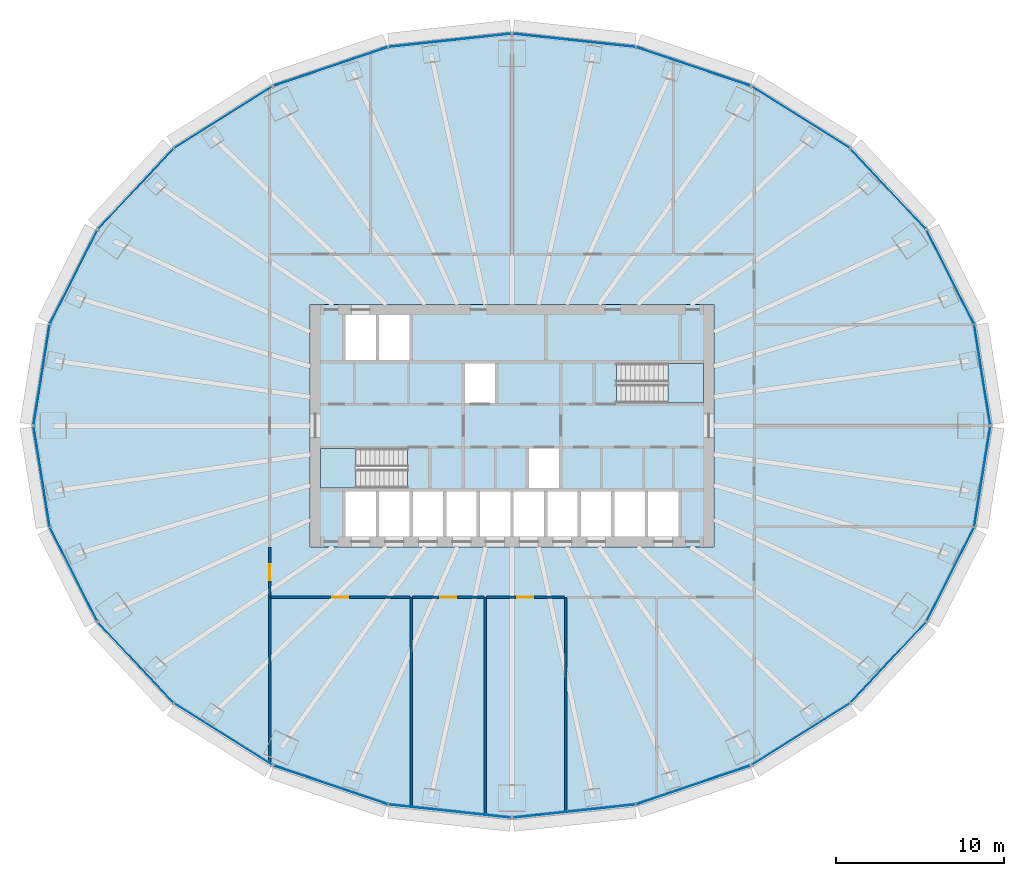
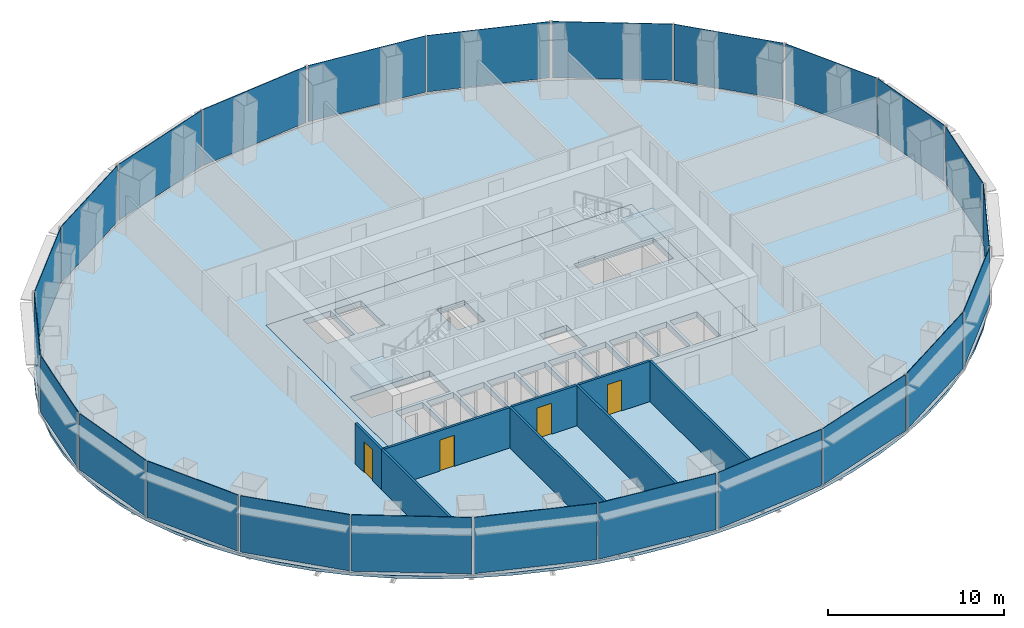
# One storey, part 6 of 13: 24 plates, 8 walls, 4 doors, 4 slabs, 4 openings, 14 elements without a shape of their own.
"""IFC4 building model written with IfcOpenShell, lengths in metres."""

from ifc_helpers import new_model, si_unit, direction, frame, frame_2d, origin, origin_2d, place, context, subcontext, project, spatial, polyline, rectangle, outline, extrude, material, layer, layer_set, type_object, element, fill, aggregate, save


model = new_model("IFC4")

# Units and contexts
model_context = context("Model", 3, precision=1e-05, world=origin(), true_north=direction((0.0, 1.0)))
body_context = subcontext(model_context, "Body", "Model", "MODEL_VIEW")
ifc_project = project(units=[si_unit("LENGTHUNIT", "METRE"), si_unit("AREAUNIT", "SQUARE_METRE"), si_unit("VOLUMEUNIT", "CUBIC_METRE"), si_unit("PLANEANGLEUNIT", "RADIAN"), si_unit("MASSUNIT", "GRAM", prefix="KILO")], contexts=[model_context])

# Site, building, storey
site_placement = place(None, origin())
site = spatial("IfcSite", under=ifc_project, at=site_placement, CompositionType="ELEMENT")
building_placement = place(site_placement, origin())
building = spatial("IfcBuilding", under=site, at=building_placement, Name="Siaravel Broadcast Tower", CompositionType="ELEMENT")
storey_placement = place(building_placement, frame((0.0, 0.0, 32.89990234375)))
storey = spatial("IfcBuildingStorey", under=building, at=storey_placement, Name="L06", CompositionType="ELEMENT", Elevation=32.89990234375)

# Curtain wall, plates
ifc_material_1 = material(Name="Aluminium 6063-T6", Category="aluminium")
ifc_layer_1 = layer(ifc_material_1, 0.25)
ifc_layer_set_1 = layer_set([ifc_layer_1], Name="Aluminium 6063-T6")
curtain_wall_type = type_object("IfcCurtainWallType", Name="Podium newsroom glazing", PredefinedType="NOTDEFINED", material=ifc_layer_set_1)
curtain_wall_1_placement = place(storey_placement, origin())
curtain_wall_1 = element("IfcCurtainWall", 1, at=curtain_wall_1_placement, inside=storey, type_object=curtain_wall_type, Name="L06 Podium newsroom glazing 01", PredefinedType="NOTDEFINED")
ifc_material_2 = material(Name="Clear laminated glass", Category="glass")
ifc_layer_2 = layer(ifc_material_2, 0.035888671875)
ifc_layer_set_2 = layer_set([ifc_layer_2], Name="Clear laminated glass")
plate_type = type_object("IfcPlateType", Name="CW-PD glass panel", PredefinedType="CURTAIN_PANEL", material=ifc_layer_set_2)
plate_1_placement = place(storey_placement, frame((27.96533203125, 3.038330078125, 0.14013671875), z_axis=(0.0, 0.0, 1.0), x_axis=(-0.158686178, 0.987329072, 0.0)))
plate_1 = element("IfcPlate", 2, at=plate_1_placement, type_object=plate_type, Name="CW-PD glass panel", PredefinedType="CURTAIN_PANEL", context=body_context, shape_type="SweptSolid", body=[
    extrude(rectangle(XDim=5.99462890625, YDim=0.035888671875, at=origin_2d()), origin(), (0.0, 0.0, 1.0), 3.909912109375),
])
plate_2_placement = place(storey_placement, frame((26.0703125, 8.83154296875, 0.14013671875), z_axis=(0.0, 0.0, 1.0), x_axis=(-0.451262258, 0.89239138, 0.0)))
plate_2 = element("IfcPlate", 3, at=plate_2_placement, type_object=plate_type, Name="CW-PD glass panel", PredefinedType="CURTAIN_PANEL", context=body_context, shape_type="SweptSolid", body=[
    extrude(rectangle(XDim=6.1826171875, YDim=0.035888671875, at=origin_2d()), origin(), (0.0, 0.0, 1.0), 3.909912109375),
])
aggregate(curtain_wall_1, [plate_1, plate_2])

curtain_wall_2_placement = place(storey_placement, origin())
curtain_wall_2 = element("IfcCurtainWall", 4, at=curtain_wall_2_placement, inside=storey, type_object=curtain_wall_type, Name="L06 Podium newsroom glazing 02", PredefinedType="NOTDEFINED")
plate_3_placement = place(storey_placement, frame((22.364013671875, 14.09033203125, 0.14013671875), z_axis=(0.0, 0.0, 1.0), x_axis=(-0.68365628, 0.729804146, 0.0)))
plate_3 = element("IfcPlate", 5, at=plate_3_placement, type_object=plate_type, Name="CW-PD glass panel", PredefinedType="CURTAIN_PANEL", context=body_context, shape_type="SweptSolid", body=[
    extrude(rectangle(XDim=6.49609375, YDim=0.035888671875, at=origin_2d()), origin(), (0.0, 0.0, 1.0), 3.909912109375),
])
plate_4_placement = place(storey_placement, frame((17.1865234375, 18.331298828125, 0.14013671875), z_axis=(0.0, 0.0, 1.0), x_axis=(-0.84665121, 0.532148221, 0.0)))
plate_4 = element("IfcPlate", 6, at=plate_4_placement, type_object=plate_type, Name="CW-PD glass panel", PredefinedType="CURTAIN_PANEL", context=body_context, shape_type="SweptSolid", body=[
    extrude(rectangle(XDim=6.840087890625, YDim=0.035888671875, at=origin_2d()), origin(), (0.0, 0.0, 1.0), 3.909912109375),
])
aggregate(curtain_wall_2, [plate_3, plate_4])

curtain_wall_3_placement = place(storey_placement, origin())
curtain_wall_3 = element("IfcCurtainWall", 7, at=curtain_wall_3_placement, inside=storey, type_object=curtain_wall_type, Name="L06 Podium newsroom glazing 03", PredefinedType="NOTDEFINED")
plate_5_placement = place(storey_placement, frame((10.773681640625, 21.3642578125, 0.14013671875), z_axis=(0.0, 0.0, 1.0), x_axis=(-0.946977469, 0.321299974, 0.0)))
plate_5 = element("IfcPlate", 8, at=plate_5_placement, type_object=plate_type, Name="CW-PD glass panel", PredefinedType="CURTAIN_PANEL", context=body_context, shape_type="SweptSolid", body=[
    extrude(rectangle(XDim=7.125244140625, YDim=0.035888671875, at=origin_2d()), origin(), (0.0, 0.0, 1.0), 3.909912109375),
])
plate_6_placement = place(storey_placement, frame((3.700927734375, 22.91650390625, 0.14013671875), z_axis=(0.0, 0.0, 1.0), x_axis=(-0.994235615, 0.107217269, 0.0)))
plate_6 = element("IfcPlate", 9, at=plate_6_placement, type_object=plate_type, Name="CW-PD glass panel", PredefinedType="CURTAIN_PANEL", context=body_context, shape_type="SweptSolid", body=[
    extrude(rectangle(XDim=7.284912109375, YDim=0.035888671875, at=origin_2d()), origin(), (0.0, 0.0, 1.0), 3.909912109375),
])
aggregate(curtain_wall_3, [plate_5, plate_6])

curtain_wall_4_placement = place(storey_placement, origin())
curtain_wall_4 = element("IfcCurtainWall", 10, at=curtain_wall_4_placement, inside=storey, type_object=curtain_wall_type, Name="L06 Podium newsroom glazing 04", PredefinedType="NOTDEFINED")
plate_7_placement = place(storey_placement, frame((-3.700927734375, 22.91650390625, 0.14013671875), z_axis=(0.0, 0.0, 1.0), x_axis=(-0.994235615, -0.107217269, 0.0)))
plate_7 = element("IfcPlate", 11, at=plate_7_placement, type_object=plate_type, Name="CW-PD glass panel", PredefinedType="CURTAIN_PANEL", context=body_context, shape_type="SweptSolid", body=[
    extrude(rectangle(XDim=7.284912109375, YDim=0.035888671875, at=origin_2d()), origin(), (0.0, 0.0, 1.0), 3.909912109375),
])
plate_8_placement = place(storey_placement, frame((-10.773681640625, 21.3642578125, 0.14013671875), z_axis=(0.0, 0.0, 1.0), x_axis=(-0.946977469, -0.321299974, 0.0)))
plate_8 = element("IfcPlate", 12, at=plate_8_placement, type_object=plate_type, Name="CW-PD glass panel", PredefinedType="CURTAIN_PANEL", context=body_context, shape_type="SweptSolid", body=[
    extrude(rectangle(XDim=7.125244140625, YDim=0.035888671875, at=origin_2d()), origin(), (0.0, 0.0, 1.0), 3.909912109375),
])
aggregate(curtain_wall_4, [plate_7, plate_8])

curtain_wall_5_placement = place(storey_placement, origin())
curtain_wall_5 = element("IfcCurtainWall", 13, at=curtain_wall_5_placement, inside=storey, type_object=curtain_wall_type, Name="L06 Podium newsroom glazing 05", PredefinedType="NOTDEFINED")
plate_9_placement = place(storey_placement, frame((-17.1865234375, 18.331298828125, 0.14013671875), z_axis=(0.0, 0.0, 1.0), x_axis=(-0.84665121, -0.532148221, 0.0)))
plate_9 = element("IfcPlate", 14, at=plate_9_placement, type_object=plate_type, Name="CW-PD glass panel", PredefinedType="CURTAIN_PANEL", context=body_context, shape_type="SweptSolid", body=[
    extrude(rectangle(XDim=6.840087890625, YDim=0.035888671875, at=origin_2d()), origin(), (0.0, 0.0, 1.0), 3.909912109375),
])
plate_10_placement = place(storey_placement, frame((-22.364013671875, 14.09033203125, 0.14013671875), z_axis=(0.0, 0.0, 1.0), x_axis=(-0.68365628, -0.729804146, 0.0)))
plate_10 = element("IfcPlate", 15, at=plate_10_placement, type_object=plate_type, Name="CW-PD glass panel", PredefinedType="CURTAIN_PANEL", context=body_context, shape_type="SweptSolid", body=[
    extrude(rectangle(XDim=6.49609375, YDim=0.035888671875, at=origin_2d()), origin(), (0.0, 0.0, 1.0), 3.909912109375),
])
aggregate(curtain_wall_5, [plate_9, plate_10])

curtain_wall_6_placement = place(storey_placement, origin())
curtain_wall_6 = element("IfcCurtainWall", 16, at=curtain_wall_6_placement, inside=storey, type_object=curtain_wall_type, Name="L06 Podium newsroom glazing 06", PredefinedType="NOTDEFINED")
plate_11_placement = place(storey_placement, frame((-26.0703125, 8.83154296875, 0.14013671875), z_axis=(0.0, 0.0, 1.0), x_axis=(-0.451262258, -0.89239138, 0.0)))
plate_11 = element("IfcPlate", 17, at=plate_11_placement, type_object=plate_type, Name="CW-PD glass panel", PredefinedType="CURTAIN_PANEL", context=body_context, shape_type="SweptSolid", body=[
    extrude(rectangle(XDim=6.1826171875, YDim=0.035888671875, at=origin_2d()), origin(), (0.0, 0.0, 1.0), 3.909912109375),
])
plate_12_placement = place(storey_placement, frame((-27.96533203125, 3.038330078125, 0.14013671875), z_axis=(0.0, 0.0, 1.0), x_axis=(-0.158686178, -0.987329072, 0.0)))
plate_12 = element("IfcPlate", 18, at=plate_12_placement, type_object=plate_type, Name="CW-PD glass panel", PredefinedType="CURTAIN_PANEL", context=body_context, shape_type="SweptSolid", body=[
    extrude(rectangle(XDim=5.99462890625, YDim=0.035888671875, at=origin_2d()), origin(), (0.0, 0.0, 1.0), 3.909912109375),
])
aggregate(curtain_wall_6, [plate_11, plate_12])

curtain_wall_7_placement = place(storey_placement, origin())
curtain_wall_7 = element("IfcCurtainWall", 19, at=curtain_wall_7_placement, inside=storey, type_object=curtain_wall_type, Name="L06 Podium newsroom glazing 07", PredefinedType="NOTDEFINED")
plate_13_placement = place(storey_placement, frame((-27.96533203125, -3.038330078125, 0.14013671875), z_axis=(0.0, 0.0, 1.0), x_axis=(0.158686178, -0.987329072, 0.0)))
plate_13 = element("IfcPlate", 20, at=plate_13_placement, type_object=plate_type, Name="CW-PD glass panel", PredefinedType="CURTAIN_PANEL", context=body_context, shape_type="SweptSolid", body=[
    extrude(rectangle(XDim=5.99462890625, YDim=0.035888671875, at=origin_2d()), origin(), (0.0, 0.0, 1.0), 3.909912109375),
])
plate_14_placement = place(storey_placement, frame((-26.0703125, -8.83154296875, 0.14013671875), z_axis=(0.0, 0.0, 1.0), x_axis=(0.451262258, -0.89239138, 0.0)))
plate_14 = element("IfcPlate", 21, at=plate_14_placement, type_object=plate_type, Name="CW-PD glass panel", PredefinedType="CURTAIN_PANEL", context=body_context, shape_type="SweptSolid", body=[
    extrude(rectangle(XDim=6.1826171875, YDim=0.035888671875, at=origin_2d()), origin(), (0.0, 0.0, 1.0), 3.909912109375),
])
aggregate(curtain_wall_7, [plate_13, plate_14])

curtain_wall_8_placement = place(storey_placement, origin())
curtain_wall_8 = element("IfcCurtainWall", 22, at=curtain_wall_8_placement, inside=storey, type_object=curtain_wall_type, Name="L06 Podium newsroom glazing 08", PredefinedType="NOTDEFINED")
plate_15_placement = place(storey_placement, frame((-22.364013671875, -14.09033203125, 0.14013671875), z_axis=(0.0, 0.0, 1.0), x_axis=(0.68365628, -0.729804146, 0.0)))
plate_15 = element("IfcPlate", 23, at=plate_15_placement, type_object=plate_type, Name="CW-PD glass panel", PredefinedType="CURTAIN_PANEL", context=body_context, shape_type="SweptSolid", body=[
    extrude(rectangle(XDim=6.49609375, YDim=0.035888671875, at=origin_2d()), origin(), (0.0, 0.0, 1.0), 3.909912109375),
])
plate_16_placement = place(storey_placement, frame((-17.1865234375, -18.331298828125, 0.14013671875), z_axis=(0.0, 0.0, 1.0), x_axis=(0.84665121, -0.532148221, 0.0)))
plate_16 = element("IfcPlate", 24, at=plate_16_placement, type_object=plate_type, Name="CW-PD glass panel", PredefinedType="CURTAIN_PANEL", context=body_context, shape_type="SweptSolid", body=[
    extrude(rectangle(XDim=6.840087890625, YDim=0.035888671875, at=origin_2d()), origin(), (0.0, 0.0, 1.0), 3.909912109375),
])
aggregate(curtain_wall_8, [plate_15, plate_16])

curtain_wall_9_placement = place(storey_placement, origin())
curtain_wall_9 = element("IfcCurtainWall", 25, at=curtain_wall_9_placement, inside=storey, type_object=curtain_wall_type, Name="L06 Podium newsroom glazing 09", PredefinedType="NOTDEFINED")
plate_17_placement = place(storey_placement, frame((-10.773681640625, -21.3642578125, 0.14013671875), z_axis=(0.0, 0.0, 1.0), x_axis=(0.946977469, -0.321299974, 0.0)))
plate_17 = element("IfcPlate", 26, at=plate_17_placement, type_object=plate_type, Name="CW-PD glass panel", PredefinedType="CURTAIN_PANEL", context=body_context, shape_type="SweptSolid", body=[
    extrude(rectangle(XDim=7.125244140625, YDim=0.035888671875, at=origin_2d()), origin(), (0.0, 0.0, 1.0), 3.909912109375),
])
plate_18_placement = place(storey_placement, frame((-3.700927734375, -22.91650390625, 0.14013671875), z_axis=(0.0, 0.0, 1.0), x_axis=(0.994235615, -0.107217269, 0.0)))
plate_18 = element("IfcPlate", 27, at=plate_18_placement, type_object=plate_type, Name="CW-PD glass panel", PredefinedType="CURTAIN_PANEL", context=body_context, shape_type="SweptSolid", body=[
    extrude(rectangle(XDim=7.284912109375, YDim=0.035888671875, at=origin_2d()), origin(), (0.0, 0.0, 1.0), 3.909912109375),
])
aggregate(curtain_wall_9, [plate_17, plate_18])

curtain_wall_10_placement = place(storey_placement, origin())
curtain_wall_10 = element("IfcCurtainWall", 28, at=curtain_wall_10_placement, inside=storey, type_object=curtain_wall_type, Name="L06 Podium newsroom glazing 10", PredefinedType="NOTDEFINED")
plate_19_placement = place(storey_placement, frame((3.700927734375, -22.91650390625, 0.14013671875), z_axis=(0.0, 0.0, 1.0), x_axis=(0.994235615, 0.107217269, 0.0)))
plate_19 = element("IfcPlate", 29, at=plate_19_placement, type_object=plate_type, Name="CW-PD glass panel", PredefinedType="CURTAIN_PANEL", context=body_context, shape_type="SweptSolid", body=[
    extrude(rectangle(XDim=7.284912109375, YDim=0.035888671875, at=origin_2d()), origin(), (0.0, 0.0, 1.0), 3.909912109375),
])
plate_20_placement = place(storey_placement, frame((10.773681640625, -21.3642578125, 0.14013671875), z_axis=(0.0, 0.0, 1.0), x_axis=(0.946977469, 0.321299974, 0.0)))
plate_20 = element("IfcPlate", 30, at=plate_20_placement, type_object=plate_type, Name="CW-PD glass panel", PredefinedType="CURTAIN_PANEL", context=body_context, shape_type="SweptSolid", body=[
    extrude(rectangle(XDim=7.125244140625, YDim=0.035888671875, at=origin_2d()), origin(), (0.0, 0.0, 1.0), 3.909912109375),
])
aggregate(curtain_wall_10, [plate_19, plate_20])

curtain_wall_11_placement = place(storey_placement, origin())
curtain_wall_11 = element("IfcCurtainWall", 31, at=curtain_wall_11_placement, inside=storey, type_object=curtain_wall_type, Name="L06 Podium newsroom glazing 11", PredefinedType="NOTDEFINED")
plate_21_placement = place(storey_placement, frame((17.1865234375, -18.331298828125, 0.14013671875), z_axis=(0.0, 0.0, 1.0), x_axis=(0.84665121, 0.532148221, 0.0)))
plate_21 = element("IfcPlate", 32, at=plate_21_placement, type_object=plate_type, Name="CW-PD glass panel", PredefinedType="CURTAIN_PANEL", context=body_context, shape_type="SweptSolid", body=[
    extrude(rectangle(XDim=6.840087890625, YDim=0.035888671875, at=origin_2d()), origin(), (0.0, 0.0, 1.0), 3.909912109375),
])
plate_22_placement = place(storey_placement, frame((22.364013671875, -14.09033203125, 0.14013671875), z_axis=(0.0, 0.0, 1.0), x_axis=(0.68365628, 0.729804146, 0.0)))
plate_22 = element("IfcPlate", 33, at=plate_22_placement, type_object=plate_type, Name="CW-PD glass panel", PredefinedType="CURTAIN_PANEL", context=body_context, shape_type="SweptSolid", body=[
    extrude(rectangle(XDim=6.49609375, YDim=0.035888671875, at=origin_2d()), origin(), (0.0, 0.0, 1.0), 3.909912109375),
])
aggregate(curtain_wall_11, [plate_21, plate_22])

curtain_wall_12_placement = place(storey_placement, origin())
curtain_wall_12 = element("IfcCurtainWall", 34, at=curtain_wall_12_placement, inside=storey, type_object=curtain_wall_type, Name="L06 Podium newsroom glazing 12", PredefinedType="NOTDEFINED")
plate_23_placement = place(storey_placement, frame((26.0703125, -8.83154296875, 0.14013671875), z_axis=(0.0, 0.0, 1.0), x_axis=(0.451262258, 0.89239138, 0.0)))
plate_23 = element("IfcPlate", 35, at=plate_23_placement, type_object=plate_type, Name="CW-PD glass panel", PredefinedType="CURTAIN_PANEL", context=body_context, shape_type="SweptSolid", body=[
    extrude(rectangle(XDim=6.1826171875, YDim=0.035888671875, at=origin_2d()), origin(), (0.0, 0.0, 1.0), 3.909912109375),
])
plate_24_placement = place(storey_placement, frame((27.96533203125, -3.038330078125, 0.14013671875), z_axis=(0.0, 0.0, 1.0), x_axis=(0.158686178, 0.987329072, 0.0)))
plate_24 = element("IfcPlate", 36, at=plate_24_placement, type_object=plate_type, Name="CW-PD glass panel", PredefinedType="CURTAIN_PANEL", context=body_context, shape_type="SweptSolid", body=[
    extrude(rectangle(XDim=5.99462890625, YDim=0.035888671875, at=origin_2d()), origin(), (0.0, 0.0, 1.0), 3.909912109375),
])
aggregate(curtain_wall_12, [plate_23, plate_24])

# Slabs
ifc_material_3 = material(Name="Concrete C40/50", Category="concrete")
ifc_layer_3 = layer(ifc_material_3, 0.39990234375)
ifc_layer_set_3 = layer_set([ifc_layer_3], Name="Concrete C40/50")
slab_type_1 = type_object("IfcSlabType", Name="Core floor slab 400", PredefinedType="FLOOR", material=ifc_layer_set_3)
slab_1_placement = place(storey_placement, frame((0.0, 0.0, -0.39990234375)))
element("IfcSlab", 37, at=slab_1_placement, inside=storey, type_object=slab_type_1, Name="L06 core floor", PredefinedType="FLOOR", context=body_context, shape_type="SweptSolid", body=[
    extrude(outline(polyline([(-12.0, -7.199951171875), (-12.0, 7.199951171875), (12.0, 7.199951171875), (12.0, -7.199951171875), (-12.0, -7.199951171875)]), holes=[polyline([(11.3994140625, 1.3505859375), (11.3994140625, 3.699462890625), (6.200439453125, 3.699462890625), (6.200439453125, 1.3505859375), (11.3994140625, 1.3505859375)]), polyline([(9.89990234375, -3.89990234375), (8.10009765625, -3.89990234375), (8.10009765625, -6.60009765625), (9.89990234375, -6.60009765625), (9.89990234375, -3.89990234375)]), polyline([(7.89990234375, -3.89990234375), (6.10009765625, -3.89990234375), (6.10009765625, -6.60009765625), (7.89990234375, -6.60009765625), (7.89990234375, -3.89990234375)]), polyline([(5.89990234375, -3.89990234375), (4.10009765625, -3.89990234375), (4.10009765625, -6.60009765625), (5.89990234375, -6.60009765625), (5.89990234375, -3.89990234375)]), polyline([(3.89990234375, -3.89990234375), (2.10009765625, -3.89990234375), (2.10009765625, -6.60009765625), (3.89990234375, -6.60009765625), (3.89990234375, -3.89990234375)]), polyline([(2.800048828125, -1.35009765625), (1.0, -1.35009765625), (1.0, -3.699951171875), (2.800048828125, -3.699951171875), (2.800048828125, -1.35009765625)]), polyline([(1.89990234375, -3.89990234375), (0.10009765625, -3.89990234375), (0.10009765625, -6.60009765625), (1.89990234375, -6.60009765625), (1.89990234375, -3.89990234375)]), polyline([(-0.10009765625, -3.89990234375), (-1.89990234375, -3.89990234375), (-1.89990234375, -6.60009765625), (-0.10009765625, -6.60009765625), (-0.10009765625, -3.89990234375)]), polyline([(-1.0, 3.699951171875), (-2.800048828125, 3.699951171875), (-2.800048828125, 1.35009765625), (-1.0, 1.35009765625), (-1.0, 3.699951171875)]), polyline([(-2.10009765625, -3.89990234375), (-3.89990234375, -3.89990234375), (-3.89990234375, -6.60009765625), (-2.10009765625, -6.60009765625), (-2.10009765625, -3.89990234375)]), polyline([(-4.10009765625, -3.89990234375), (-5.89990234375, -3.89990234375), (-5.89990234375, -6.60009765625), (-4.10009765625, -6.60009765625), (-4.10009765625, -3.89990234375)]), polyline([(-6.10009765625, -3.89990234375), (-7.89990234375, -3.89990234375), (-7.89990234375, -6.60009765625), (-6.10009765625, -6.60009765625), (-6.10009765625, -3.89990234375)]), polyline([(-6.10009765625, 6.60009765625), (-7.89990234375, 6.60009765625), (-7.89990234375, 3.89990234375), (-6.10009765625, 3.89990234375), (-6.10009765625, 6.60009765625)]), polyline([(-11.3994140625, -1.3505859375), (-11.3994140625, -3.699462890625), (-6.200439453125, -3.699462890625), (-6.200439453125, -1.3505859375), (-11.3994140625, -1.3505859375)]), polyline([(-8.10009765625, -3.89990234375), (-9.89990234375, -3.89990234375), (-9.89990234375, -6.60009765625), (-8.10009765625, -6.60009765625), (-8.10009765625, -3.89990234375)]), polyline([(-8.10009765625, 6.60009765625), (-9.89990234375, 6.60009765625), (-9.89990234375, 3.89990234375), (-8.10009765625, 3.89990234375), (-8.10009765625, 6.60009765625)])]), origin(), (0.0, 0.0, 1.0), 0.39990234375),
])
ifc_layer_4 = layer(ifc_material_3, 0.199951171875)
ifc_layer_set_4 = layer_set([ifc_layer_4], Name="Concrete C40/50")
slab_type_2 = type_object("IfcSlabType", Name="SLB-FLOOR-200", PredefinedType="FLOOR", material=ifc_layer_set_4)
slab_2_placement = place(storey_placement, frame((0.0, 0.0, -0.199951171875)))
element("IfcSlab", 38, at=slab_2_placement, inside=storey, type_object=slab_type_2, Name="Floor slab", PredefinedType="FLOOR", context=body_context, shape_type="SweptSolid", body=[
    extrude(outline(polyline([(28.403564453125, 0.0), (28.29541015625, 2.027587890625), (27.97216796875, 4.0400390625), (27.435791015625, 6.021484375), (26.690673828125, 7.957275390625), (25.742431640625, 9.83251953125), (24.59814453125, 11.6328125), (23.266845703125, 13.3447265625), (21.75830078125, 14.954833984375), (20.08447265625, 16.451416015625), (18.257568359375, 17.822509765625), (16.29150390625, 19.05810546875), (14.201904296875, 20.148681640625), (12.00390625, 21.0859375), (9.714599609375, 21.862548828125), (7.351318359375, 22.472900390625), (4.93212890625, 22.912109375), (2.4755859375, 23.17724609375), (0.0, 23.265625), (-2.4755859375, 23.17724609375), (-4.93212890625, 22.912109375), (-7.351318359375, 22.472900390625), (-9.714599609375, 21.862548828125), (-12.00390625, 21.0859375), (-14.201904296875, 20.148681640625), (-16.29150390625, 19.05810546875), (-18.257568359375, 17.822509765625), (-20.08447265625, 16.451416015625), (-21.75830078125, 14.954833984375), (-23.266845703125, 13.3447265625), (-24.59814453125, 11.6328125), (-25.742431640625, 9.83251953125), (-26.690673828125, 7.957275390625), (-27.435791015625, 6.021484375), (-27.97216796875, 4.0400390625), (-28.29541015625, 2.027587890625), (-28.403564453125, 0.0), (-28.29541015625, -2.027587890625), (-27.97216796875, -4.0400390625), (-27.435791015625, -6.021484375), (-26.690673828125, -7.957275390625), (-25.742431640625, -9.83251953125), (-24.59814453125, -11.6328125), (-23.266845703125, -13.3447265625), (-21.75830078125, -14.954833984375), (-20.08447265625, -16.451416015625), (-18.257568359375, -17.822509765625), (-16.29150390625, -19.05810546875), (-14.201904296875, -20.148681640625), (-12.00390625, -21.0859375), (-9.714599609375, -21.862548828125), (-7.351318359375, -22.472900390625), (-4.93212890625, -22.912109375), (-2.4755859375, -23.17724609375), (0.0, -23.265625), (2.4755859375, -23.17724609375), (4.93212890625, -22.912109375), (7.351318359375, -22.472900390625), (9.714599609375, -21.862548828125), (12.00390625, -21.0859375), (14.201904296875, -20.148681640625), (16.29150390625, -19.05810546875), (18.257568359375, -17.822509765625), (20.08447265625, -16.451416015625), (21.75830078125, -14.954833984375), (23.266845703125, -13.3447265625), (24.59814453125, -11.6328125), (25.742431640625, -9.83251953125), (26.690673828125, -7.957275390625), (27.435791015625, -6.021484375), (27.97216796875, -4.0400390625), (28.29541015625, -2.027587890625), (28.403564453125, 0.0)]), holes=[polyline([(-12.0, 7.199951171875), (12.0, 7.199951171875), (12.0, -7.199951171875), (-12.0, -7.199951171875), (-12.0, 7.199951171875)])]), origin(), (0.0, 0.0, 1.0), 0.199951171875),
])

# Stair, slab
stair_type = type_object("IfcStairType", Name="Core exit stair", PredefinedType="HALF_TURN_STAIR", material=ifc_material_3)
stair_1_placement = place(storey_placement, origin())
stair_1 = element("IfcStair", 39, at=stair_1_placement, inside=storey, type_object=stair_type, Name="L06 Exit stair ST-1", PredefinedType="HALF_TURN_STAIR")
ifc_layer_5 = layer(ifc_material_3, 0.199951171875)
ifc_layer_set_5 = layer_set([ifc_layer_5], Name="Concrete C40/50")
slab_type_3 = type_object("IfcSlabType", Name="Stair landing", PredefinedType="LANDING", material=ifc_layer_set_5)
slab_3_placement = place(storey_placement, frame((0.0, 0.0, 1.900146484375)))
slab_3 = element("IfcSlab", 40, at=slab_3_placement, type_object=slab_type_3, Name="ST-1 landing 1", PredefinedType="LANDING", context=body_context, shape_type="SweptSolid", body=[
    extrude(outline(polyline([(-9.280029296875, -1.35009765625), (-11.39990234375, -1.35009765625), (-11.39990234375, -3.699951171875), (-9.280029296875, -3.699951171875), (-9.280029296875, -1.35009765625)])), origin(), (0.0, 0.0, 1.0), 0.199951171875),
])
aggregate(stair_1, [slab_3])

stair_2_placement = place(storey_placement, origin())
stair_2 = element("IfcStair", 41, at=stair_2_placement, inside=storey, type_object=stair_type, Name="L06 Exit stair ST-2", PredefinedType="HALF_TURN_STAIR")
slab_4_placement = place(storey_placement, frame((0.0, 0.0, 1.900146484375)))
slab_4 = element("IfcSlab", 42, at=slab_4_placement, type_object=slab_type_3, Name="ST-2 landing 1", PredefinedType="LANDING", context=body_context, shape_type="SweptSolid", body=[
    extrude(outline(polyline([(9.280029296875, 1.35009765625), (11.39990234375, 1.35009765625), (11.39990234375, 3.699951171875), (9.280029296875, 3.699951171875), (9.280029296875, 1.35009765625)])), origin(), (0.0, 0.0, 1.0), 0.199951171875),
])
aggregate(stair_2, [slab_4])

# Wall, opening, door
ifc_material_4 = material(Name="Gypsum board partition", Category="gypsum")
ifc_layer_6 = layer(ifc_material_4, 0.14990234375)
ifc_layer_set_6 = layer_set([ifc_layer_6], Name="Gypsum board partition")
wall_type_1 = type_object("IfcWallType", Name="Corridor wall 150", PredefinedType="PARTITIONING", material=ifc_layer_set_6)
wall_1_placement = place(storey_placement, frame((-14.322998046875, -10.199951171875, 0.0), z_axis=(0.0, 0.0, 1.0), x_axis=(1.0, 0.0, 0.0)))
wall_1 = element("IfcWall", 43, at=wall_1_placement, inside=storey, type_object=wall_type_1, Name="L06 partition 17", PredefinedType="PARTITIONING", context=body_context, shape_type="SweptSolid", body=[
    extrude(rectangle(XDim=8.24609375, YDim=0.14990234375, at=frame_2d((4.123046875, 0.0))), origin(), (0.0, 0.0, 1.0), 2.800048828125),
])
opening_1_placement = place(wall_1_placement, frame((3.64794921875, 0.0, 0.0)))
opening_1 = element("IfcOpeningElement", 44, at=opening_1_placement, cuts=wall_1, Name="Opening L06-011", PredefinedType="OPENING", context=body_context, shape_type="SweptSolid", body=[
    extrude(rectangle(XDim=0.949951171875, YDim=2.14990234375, at=frame_2d((0.47509765625, 1.074951171875))), frame((0.0, 0.0849609375, 0.0), z_axis=(0.0, -1.0, 0.0), x_axis=(1.0, 0.0, 0.0)), (0.0, 0.0, 1.0), 0.169921875),
])
ifc_material_5 = material(Name="Timber veneer", Category="wood")
door_type = type_object("IfcDoorType", Name="Office door 950", OperationType="SINGLE_SWING_LEFT", PredefinedType="DOOR", material=ifc_material_5)
door_1_placement = place(opening_1_placement, origin())
door_1 = element("IfcDoor", 45, at=door_1_placement, inside=storey, type_object=door_type, Name="L06 door to Network operations room", OperationType="SINGLE_SWING_LEFT", OverallHeight=2.14990234375, OverallWidth=0.949951171875, PredefinedType="DOOR", context=body_context, shape_type="SweptSolid", body=[
    extrude(rectangle(XDim=0.949951171875, YDim=2.14990234375, at=frame_2d((0.47509765625, 1.074951171875))), frame((0.0, 0.02490234375, 0.0), z_axis=(0.0, -1.0, 0.0), x_axis=(1.0, 0.0, 0.0)), (0.0, 0.0, 1.0), 0.050048828125),
])
fill(opening_1, door_1)

wall_2_placement = place(storey_placement, frame((-1.52294921875, -10.199951171875, 0.0), z_axis=(0.0, 0.0, 1.0), x_axis=(1.0, 0.0, 0.0)))
wall_2 = element("IfcWall", 46, at=wall_2_placement, inside=storey, type_object=wall_type_1, Name="L06 partition 24", PredefinedType="PARTITIONING", context=body_context, shape_type="SweptSolid", body=[
    extrude(rectangle(XDim=4.64599609375, YDim=0.14990234375, at=frame_2d((2.322998046875, 0.0))), origin(), (0.0, 0.0, 1.0), 2.800048828125),
])
opening_2_placement = place(wall_2_placement, frame((1.847900390625, 0.0, 0.0)))
opening_2 = element("IfcOpeningElement", 47, at=opening_2_placement, cuts=wall_2, Name="Opening L06-013", PredefinedType="OPENING", context=body_context, shape_type="SweptSolid", body=[
    extrude(rectangle(XDim=0.949951171875, YDim=2.14990234375, at=frame_2d((0.47509765625, 1.074951171875))), frame((0.0, 0.0849609375, 0.0), z_axis=(0.0, -1.0, 0.0), x_axis=(1.0, 0.0, 0.0)), (0.0, 0.0, 1.0), 0.169921875),
])
door_2_placement = place(opening_2_placement, origin())
door_2 = element("IfcDoor", 48, at=door_2_placement, inside=storey, type_object=door_type, Name="L06 door to Engineering store", OperationType="SINGLE_SWING_LEFT", OverallHeight=2.14990234375, OverallWidth=0.949951171875, PredefinedType="DOOR", context=body_context, shape_type="SweptSolid", body=[
    extrude(rectangle(XDim=0.949951171875, YDim=2.14990234375, at=frame_2d((0.47509765625, 1.074951171875))), frame((0.0, 0.02490234375, 0.0), z_axis=(0.0, -1.0, 0.0), x_axis=(1.0, 0.0, 0.0)), (0.0, 0.0, 1.0), 0.050048828125),
])
fill(opening_2, door_2)

wall_3_placement = place(storey_placement, frame((-5.923095703125, -10.199951171875, 0.0), z_axis=(0.0, 0.0, 1.0), x_axis=(1.0, 0.0, 0.0)))
wall_3 = element("IfcWall", 49, at=wall_3_placement, inside=storey, type_object=wall_type_1, Name="L06 partition 26", PredefinedType="PARTITIONING", context=body_context, shape_type="SweptSolid", body=[
    extrude(rectangle(XDim=4.24609375, YDim=0.14990234375, at=frame_2d((2.123046875, 0.0))), origin(), (0.0, 0.0, 1.0), 2.800048828125),
])
opening_3_placement = place(wall_3_placement, frame((1.64794921875, 0.0, 0.0)))
opening_3 = element("IfcOpeningElement", 50, at=opening_3_placement, cuts=wall_3, Name="Opening L06-012", PredefinedType="OPENING", context=body_context, shape_type="SweptSolid", body=[
    extrude(rectangle(XDim=0.949951171875, YDim=2.14990234375, at=frame_2d((0.47509765625, 1.074951171875))), frame((0.0, 0.0849609375, 0.0), z_axis=(0.0, -1.0, 0.0), x_axis=(1.0, 0.0, 0.0)), (0.0, 0.0, 1.0), 0.169921875),
])
door_3_placement = place(opening_3_placement, origin())
door_3 = element("IfcDoor", 51, at=door_3_placement, inside=storey, type_object=door_type, Name="L06 door to Server room", OperationType="SINGLE_SWING_RIGHT", OverallHeight=2.14990234375, OverallWidth=0.949951171875, PredefinedType="DOOR", context=body_context, shape_type="SweptSolid", body=[
    extrude(rectangle(XDim=0.949951171875, YDim=2.14990234375, at=frame_2d((0.47509765625, 1.074951171875))), frame((0.0, 0.02490234375, 0.0), z_axis=(0.0, -1.0, 0.0), x_axis=(1.0, 0.0, 0.0)), (0.0, 0.0, 1.0), 0.050048828125),
])
fill(opening_3, door_3)

wall_4_placement = place(storey_placement, frame((-14.39990234375, -7.212890625, 0.0), z_axis=(0.0, 0.0, 1.0), x_axis=(0.0, -1.0, 0.0)))
wall_4 = element("IfcWall", 52, at=wall_4_placement, inside=storey, type_object=wall_type_1, Name="L06 partition 27", PredefinedType="PARTITIONING", context=body_context, shape_type="SweptSolid", body=[
    extrude(rectangle(XDim=2.986083984375, YDim=0.14990234375, at=frame_2d((1.4931640625, 0.0))), origin(), (0.0, 0.0, 1.0), 2.800048828125),
])
opening_4_placement = place(wall_4_placement, frame((1.01806640625, 0.0, 0.0)))
opening_4 = element("IfcOpeningElement", 53, at=opening_4_placement, cuts=wall_4, Name="Opening L06-002", PredefinedType="OPENING", context=body_context, shape_type="SweptSolid", body=[
    extrude(rectangle(XDim=0.949951171875, YDim=2.14990234375, at=frame_2d((0.47509765625, 1.074951171875))), frame((0.0, 0.0849609375, 0.0), z_axis=(0.0, -1.0, 0.0), x_axis=(1.0, 0.0, 0.0)), (0.0, 0.0, 1.0), 0.169921875),
])
door_4_placement = place(opening_4_placement, origin())
door_4 = element("IfcDoor", 54, at=door_4_placement, inside=storey, type_object=door_type, Name="L06 door to Broadcast operations centre", OperationType="SINGLE_SWING_RIGHT", OverallHeight=2.14990234375, OverallWidth=0.949951171875, PredefinedType="DOOR", context=body_context, shape_type="SweptSolid", body=[
    extrude(rectangle(XDim=0.949951171875, YDim=2.14990234375, at=frame_2d((0.47509765625, 1.074951171875))), frame((0.0, 0.02490234375, 0.0), z_axis=(0.0, -1.0, 0.0), x_axis=(1.0, 0.0, 0.0)), (0.0, 0.0, 1.0), 0.050048828125),
])
fill(opening_4, door_4)

# Walls
ifc_layer_7 = layer(ifc_material_4, 0.14990234375)
ifc_layer_set_7 = layer_set([ifc_layer_7], Name="Gypsum board partition")
wall_type_2 = type_object("IfcWallType", Name="Room partition 150", PredefinedType="PARTITIONING", material=ifc_layer_set_7)
wall_5_placement = place(storey_placement, frame((-1.60009765625, -23.09326171875, 0.0), z_axis=(0.0, 0.0, 1.0), x_axis=(0.0, 1.0, 0.0)))
element("IfcWall", 55, at=wall_5_placement, inside=storey, type_object=wall_type_2, Name="L06 partition 6", PredefinedType="PARTITIONING", context=body_context, shape_type="SweptSolid", body=[
    extrude(rectangle(XDim=12.893310546875, YDim=0.14990234375, at=frame_2d((6.44677734375, 0.0))), origin(), (0.0, 0.0, 1.0), 2.800048828125),
])
wall_6_placement = place(storey_placement, frame((3.199951171875, -22.978515625, 0.0), z_axis=(0.0, 0.0, 1.0), x_axis=(0.0, 1.0, 0.0)))
element("IfcWall", 56, at=wall_6_placement, inside=storey, type_object=wall_type_2, Name="L06 partition 7", PredefinedType="PARTITIONING", context=body_context, shape_type="SweptSolid", body=[
    extrude(rectangle(XDim=12.778564453125, YDim=0.14990234375, at=frame_2d((6.38916015625, 0.0))), origin(), (0.0, 0.0, 1.0), 2.800048828125),
])
wall_7_placement = place(storey_placement, frame((-6.0, -22.61865234375, 0.0), z_axis=(0.0, 0.0, 1.0), x_axis=(0.0, 1.0, 0.0)))
element("IfcWall", 57, at=wall_7_placement, inside=storey, type_object=wall_type_2, Name="L06 partition 8", PredefinedType="PARTITIONING", context=body_context, shape_type="SweptSolid", body=[
    extrude(rectangle(XDim=12.418701171875, YDim=0.14990234375, at=frame_2d((6.20947265625, 0.0))), origin(), (0.0, 0.0, 1.0), 2.800048828125),
])
wall_8_placement = place(storey_placement, frame((-14.39990234375, -20.03271484375, 0.0), z_axis=(0.0, 0.0, 1.0), x_axis=(0.0, 1.0, 0.0)))
element("IfcWall", 58, at=wall_8_placement, inside=storey, type_object=wall_type_2, Name="L06 partition 12", PredefinedType="PARTITIONING", context=body_context, shape_type="SweptSolid", body=[
    extrude(rectangle(XDim=9.832763671875, YDim=0.14990234375, at=frame_2d((4.91650390625, 0.0))), origin(), (0.0, 0.0, 1.0), 2.800048828125),
])

save(model, "model.ifc")
